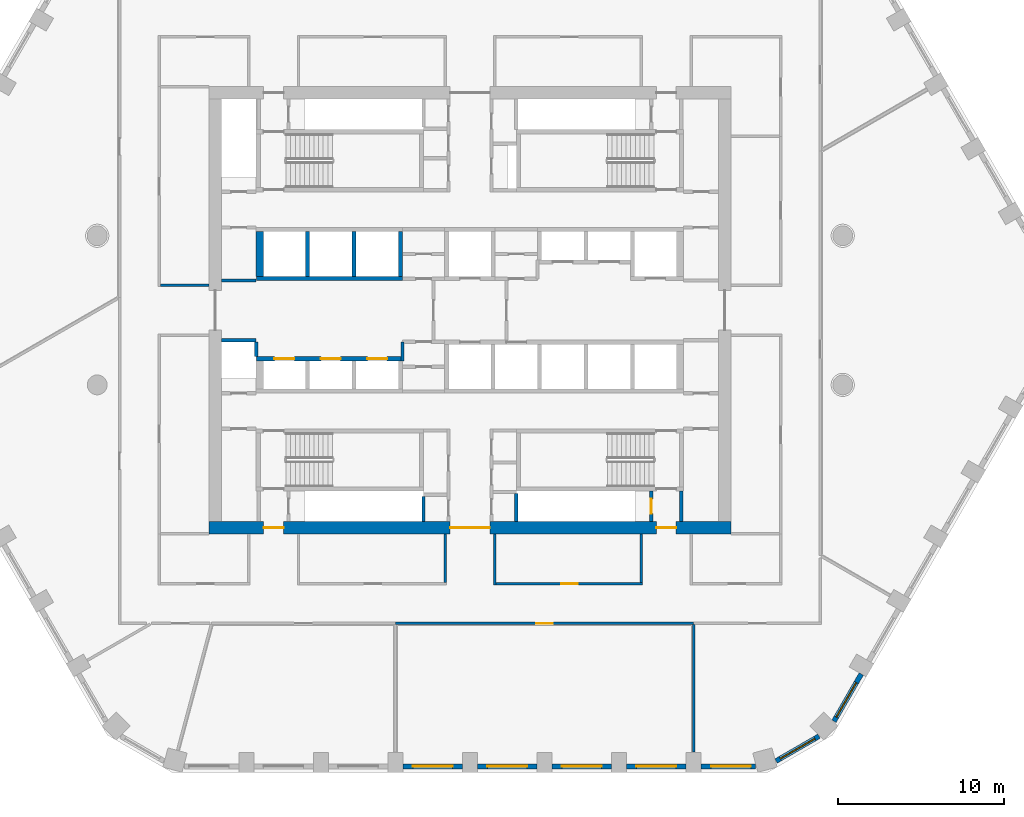
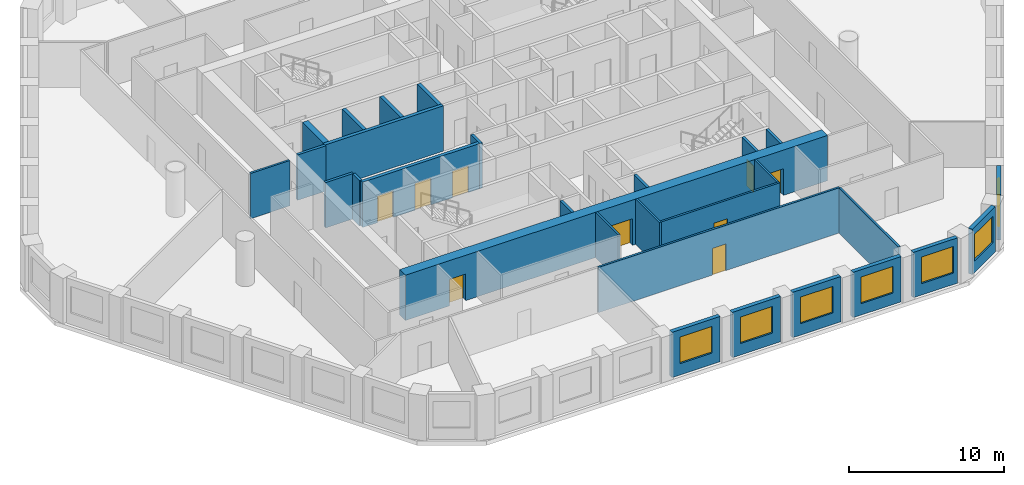
# One storey, part 3 of 14: 29 walls, 9 doors, 7 windows, 16 openings.
"""IFC4 building model written with IfcOpenShell, lengths in metres."""

from ifc_helpers import new_model, si_unit, direction, frame, frame_2d, origin, place, context, subcontext, project, spatial, polyline, rectangle, outline, extrude, material, layer, layer_set, type_object, element, fill, save


model = new_model("IFC4")

# Units and contexts
model_context = context("Model", 3, precision=1e-05, world=origin(), true_north=direction((0.0, 1.0)))
body_context = subcontext(model_context, "Body", "Model", "MODEL_VIEW")
ifc_project = project(units=[si_unit("LENGTHUNIT", "METRE"), si_unit("AREAUNIT", "SQUARE_METRE"), si_unit("VOLUMEUNIT", "CUBIC_METRE"), si_unit("PLANEANGLEUNIT", "RADIAN"), si_unit("MASSUNIT", "GRAM", prefix="KILO")], contexts=[model_context])

# Site, building, storey
site_placement = place(None, origin())
site = spatial("IfcSite", under=ifc_project, at=site_placement, CompositionType="ELEMENT")
building_placement = place(site_placement, origin())
building = spatial("IfcBuilding", under=site, at=building_placement, Name="Dhurran Vertical Campus", CompositionType="ELEMENT")
storey_placement = place(building_placement, frame((0.0, 0.0, 140.39990234375)))
storey = spatial("IfcBuildingStorey", under=building, at=storey_placement, Name="L34", CompositionType="ELEMENT", Elevation=140.39990234375)

# Wall, opening, window
ifc_material_1 = material(Name="Precast concrete C50/60", Category="concrete")
ifc_layer_1 = layer(ifc_material_1, 0.300048828125)
ifc_layer_set_1 = layer_set([ifc_layer_1], Name="Precast concrete C50/60")
wall_type_1 = type_object("IfcWallType", Name="Precast spandrel wall 300", PredefinedType="SOLIDWALL", material=ifc_layer_set_1)
wall_1_placement = place(storey_placement, frame((-4.049560546875, -27.53271484375, 0.0), z_axis=(0.0, 0.0, 1.0), x_axis=(1.0, 0.0, 0.0)))
wall_1 = element("IfcWall", 1, at=wall_1_placement, inside=storey, type_object=wall_type_1, Name="EW1 L34.03", PredefinedType="SOLIDWALL", context=body_context, shape_type="SweptSolid", body=[
    extrude(rectangle(XDim=3.59912109375, YDim=0.300048828125, at=frame_2d((1.799560546875, 0.0))), origin(), (0.0, 0.0, 1.0), 3.5751953125),
])
opening_1_placement = place(wall_1_placement, frame((0.599609375, 0.0, 0.89990234375)))
opening_1 = element("IfcOpeningElement", 2, at=opening_1_placement, cuts=wall_1, Name="Opening WT1", PredefinedType="OPENING", context=body_context, shape_type="SweptSolid", body=[
    extrude(rectangle(XDim=2.39990234375, YDim=2.10009765625, at=frame_2d((1.199951171875, 1.050048828125))), frame((0.0, 0.159912109375, 0.0), z_axis=(0.0, -1.0, 0.0), x_axis=(1.0, 0.0, 0.0)), (0.0, 0.0, 1.0), 0.320068359375),
])
ifc_material_2 = material(Name="Aluminium frame with solar-control glass", Category="aluminium")
window_type = type_object("IfcWindowType", Name="Punched window 2400 x 2100", PartitioningType="SINGLE_PANEL", PredefinedType="WINDOW", material=ifc_material_2)
window_1_placement = place(opening_1_placement, origin())
window_1 = element("IfcWindow", 3, at=window_1_placement, inside=storey, type_object=window_type, Name="WT1 L34.03", OverallHeight=2.10009765625, OverallWidth=2.39990234375, PartitioningType="SINGLE_PANEL", PredefinedType="WINDOW", context=body_context, shape_type="SweptSolid", body=[
    extrude(rectangle(XDim=2.39990234375, YDim=2.10009765625, at=frame_2d((1.199951171875, 1.050048828125))), frame((0.0, 0.030029296875, 0.0), z_axis=(0.0, -1.0, 0.0), x_axis=(1.0, 0.0, 0.0)), (0.0, 0.0, 1.0), 0.06005859375),
])
fill(opening_1, window_1)

wall_2_placement = place(storey_placement, frame((0.450439453125, -27.53271484375, 0.0), z_axis=(0.0, 0.0, 1.0), x_axis=(1.0, 0.0, 0.0)))
wall_2 = element("IfcWall", 4, at=wall_2_placement, inside=storey, type_object=wall_type_1, Name="EW1 L34.04", PredefinedType="SOLIDWALL", context=body_context, shape_type="SweptSolid", body=[
    extrude(rectangle(XDim=3.59912109375, YDim=0.300048828125, at=frame_2d((1.799560546875, 0.0))), origin(), (0.0, 0.0, 1.0), 3.5751953125),
])
opening_2_placement = place(wall_2_placement, frame((0.599609375, 0.0, 0.89990234375)))
opening_2 = element("IfcOpeningElement", 5, at=opening_2_placement, cuts=wall_2, Name="Opening WT1", PredefinedType="OPENING", context=body_context, shape_type="SweptSolid", body=[
    extrude(rectangle(XDim=2.39990234375, YDim=2.10009765625, at=frame_2d((1.199951171875, 1.050048828125))), frame((0.0, 0.159912109375, 0.0), z_axis=(0.0, -1.0, 0.0), x_axis=(1.0, 0.0, 0.0)), (0.0, 0.0, 1.0), 0.320068359375),
])
window_2_placement = place(opening_2_placement, origin())
window_2 = element("IfcWindow", 6, at=window_2_placement, inside=storey, type_object=window_type, Name="WT1 L34.04", OverallHeight=2.10009765625, OverallWidth=2.39990234375, PartitioningType="SINGLE_PANEL", PredefinedType="WINDOW", context=body_context, shape_type="SweptSolid", body=[
    extrude(rectangle(XDim=2.39990234375, YDim=2.10009765625, at=frame_2d((1.199951171875, 1.050048828125))), frame((0.0, 0.030029296875, 0.0), z_axis=(0.0, -1.0, 0.0), x_axis=(1.0, 0.0, 0.0)), (0.0, 0.0, 1.0), 0.06005859375),
])
fill(opening_2, window_2)

wall_3_placement = place(storey_placement, frame((4.950439453125, -27.53271484375, 0.0), z_axis=(0.0, 0.0, 1.0), x_axis=(1.0, 0.0, 0.0)))
wall_3 = element("IfcWall", 7, at=wall_3_placement, inside=storey, type_object=wall_type_1, Name="EW1 L34.05", PredefinedType="SOLIDWALL", context=body_context, shape_type="SweptSolid", body=[
    extrude(rectangle(XDim=3.59912109375, YDim=0.300048828125, at=frame_2d((1.799560546875, 0.0))), origin(), (0.0, 0.0, 1.0), 3.5751953125),
])
opening_3_placement = place(wall_3_placement, frame((0.599609375, 0.0, 0.89990234375)))
opening_3 = element("IfcOpeningElement", 8, at=opening_3_placement, cuts=wall_3, Name="Opening WT1", PredefinedType="OPENING", context=body_context, shape_type="SweptSolid", body=[
    extrude(rectangle(XDim=2.39990234375, YDim=2.10009765625, at=frame_2d((1.199951171875, 1.050048828125))), frame((0.0, 0.159912109375, 0.0), z_axis=(0.0, -1.0, 0.0), x_axis=(1.0, 0.0, 0.0)), (0.0, 0.0, 1.0), 0.320068359375),
])
window_3_placement = place(opening_3_placement, origin())
window_3 = element("IfcWindow", 9, at=window_3_placement, inside=storey, type_object=window_type, Name="WT1 L34.05", OverallHeight=2.10009765625, OverallWidth=2.39990234375, PartitioningType="SINGLE_PANEL", PredefinedType="WINDOW", context=body_context, shape_type="SweptSolid", body=[
    extrude(rectangle(XDim=2.39990234375, YDim=2.10009765625, at=frame_2d((1.199951171875, 1.050048828125))), frame((0.0, 0.030029296875, 0.0), z_axis=(0.0, -1.0, 0.0), x_axis=(1.0, 0.0, 0.0)), (0.0, 0.0, 1.0), 0.06005859375),
])
fill(opening_3, window_3)

wall_4_placement = place(storey_placement, frame((9.450439453125, -27.53271484375, 0.0), z_axis=(0.0, 0.0, 1.0), x_axis=(1.0, 0.0, 0.0)))
wall_4 = element("IfcWall", 10, at=wall_4_placement, inside=storey, type_object=wall_type_1, Name="EW1 L34.06", PredefinedType="SOLIDWALL", context=body_context, shape_type="SweptSolid", body=[
    extrude(rectangle(XDim=3.59912109375, YDim=0.300048828125, at=frame_2d((1.799560546875, 0.0))), origin(), (0.0, 0.0, 1.0), 3.5751953125),
])
opening_4_placement = place(wall_4_placement, frame((0.599609375, 0.0, 0.89990234375)))
opening_4 = element("IfcOpeningElement", 11, at=opening_4_placement, cuts=wall_4, Name="Opening WT1", PredefinedType="OPENING", context=body_context, shape_type="SweptSolid", body=[
    extrude(rectangle(XDim=2.39990234375, YDim=2.10009765625, at=frame_2d((1.199951171875, 1.050048828125))), frame((0.0, 0.159912109375, 0.0), z_axis=(0.0, -1.0, 0.0), x_axis=(1.0, 0.0, 0.0)), (0.0, 0.0, 1.0), 0.320068359375),
])
window_4_placement = place(opening_4_placement, origin())
window_4 = element("IfcWindow", 12, at=window_4_placement, inside=storey, type_object=window_type, Name="WT1 L34.06", OverallHeight=2.10009765625, OverallWidth=2.39990234375, PartitioningType="SINGLE_PANEL", PredefinedType="WINDOW", context=body_context, shape_type="SweptSolid", body=[
    extrude(rectangle(XDim=2.39990234375, YDim=2.10009765625, at=frame_2d((1.199951171875, 1.050048828125))), frame((0.0, 0.030029296875, 0.0), z_axis=(0.0, -1.0, 0.0), x_axis=(1.0, 0.0, 0.0)), (0.0, 0.0, 1.0), 0.06005859375),
])
fill(opening_4, window_4)

wall_5_placement = place(storey_placement, frame((13.950439453125, -27.53271484375, 0.0), z_axis=(0.0, 0.0, 1.0), x_axis=(1.0, 0.0, 0.0)))
wall_5 = element("IfcWall", 13, at=wall_5_placement, inside=storey, type_object=wall_type_1, Name="EW1 L34.07", PredefinedType="SOLIDWALL", context=body_context, shape_type="SweptSolid", body=[
    extrude(rectangle(XDim=3.294189453125, YDim=0.300048828125, at=frame_2d((1.64697265625, 0.0))), origin(), (0.0, 0.0, 1.0), 3.5751953125),
])
opening_5_placement = place(wall_5_placement, frame((0.599609375, 0.0, 0.89990234375)))
opening_5 = element("IfcOpeningElement", 14, at=opening_5_placement, cuts=wall_5, Name="Opening WT1", PredefinedType="OPENING", context=body_context, shape_type="SweptSolid", body=[
    extrude(rectangle(XDim=2.39990234375, YDim=2.10009765625, at=frame_2d((1.199951171875, 1.050048828125))), frame((0.0, 0.159912109375, 0.0), z_axis=(0.0, -1.0, 0.0), x_axis=(1.0, 0.0, 0.0)), (0.0, 0.0, 1.0), 0.320068359375),
])
window_5_placement = place(opening_5_placement, origin())
window_5 = element("IfcWindow", 15, at=window_5_placement, inside=storey, type_object=window_type, Name="WT1 L34.07", OverallHeight=2.10009765625, OverallWidth=2.39990234375, PartitioningType="SINGLE_PANEL", PredefinedType="WINDOW", context=body_context, shape_type="SweptSolid", body=[
    extrude(rectangle(XDim=2.39990234375, YDim=2.10009765625, at=frame_2d((1.199951171875, 1.050048828125))), frame((0.0, 0.030029296875, 0.0), z_axis=(0.0, -1.0, 0.0), x_axis=(1.0, 0.0, 0.0)), (0.0, 0.0, 1.0), 0.06005859375),
])
fill(opening_5, window_5)

wall_6_placement = place(storey_placement, frame((18.479248046875, -27.201904296875, 0.0), z_axis=(0.0, 0.0, 1.0), x_axis=(0.866012844897, 0.500021752, 0.0)))
wall_6 = element("IfcWall", 16, at=wall_6_placement, inside=storey, type_object=wall_type_1, Name="EW1 L34.08", PredefinedType="SOLIDWALL", context=body_context, shape_type="SweptSolid", body=[
    extrude(rectangle(XDim=2.989013671875, YDim=0.300048828125, at=frame_2d((1.49462890625, 0.0))), origin(), (0.0, 0.0, 1.0), 3.5751953125),
])
opening_6_placement = place(wall_6_placement, frame((0.294677734375, 0.0, 0.89990234375)))
opening_6 = element("IfcOpeningElement", 17, at=opening_6_placement, cuts=wall_6, Name="Opening WT1", PredefinedType="OPENING", context=body_context, shape_type="SweptSolid", body=[
    extrude(rectangle(XDim=2.39990234375, YDim=2.10009765625, at=frame_2d((1.199951171875, 1.050048828125))), frame((0.0, 0.159912109375, 0.0), z_axis=(0.0, -1.0, 0.0), x_axis=(1.0, 0.0, 0.0)), (0.0, 0.0, 1.0), 0.320068359375),
])
window_6_placement = place(opening_6_placement, origin())
window_6 = element("IfcWindow", 18, at=window_6_placement, inside=storey, type_object=window_type, Name="WT1 L34.08", OverallHeight=2.10009765625, OverallWidth=2.39990234375, PartitioningType="SINGLE_PANEL", PredefinedType="WINDOW", context=body_context, shape_type="SweptSolid", body=[
    extrude(rectangle(XDim=2.39990234375, YDim=2.10009765625, at=frame_2d((1.199951171875, 1.050048828125))), frame((0.0, 0.030029296875, 0.0), z_axis=(0.0, -1.0, 0.0), x_axis=(1.0, 0.0, 0.0)), (0.0, 0.0, 1.0), 0.06005859375),
])
fill(opening_6, window_6)

wall_7_placement = place(storey_placement, frame((21.9716796875, -24.803466796875, 0.0), z_axis=(0.0, 0.0, 1.0), x_axis=(0.500036802197, 0.866004154983, 0.0)))
wall_7 = element("IfcWall", 19, at=wall_7_placement, inside=storey, type_object=wall_type_1, Name="EW1 L34.09", PredefinedType="SOLIDWALL", context=body_context, shape_type="SweptSolid", body=[
    extrude(rectangle(XDim=3.294189453125, YDim=0.300048828125, at=frame_2d((1.64697265625, 0.0))), origin(), (0.0, 0.0, 1.0), 3.5751953125),
])
opening_7_placement = place(wall_7_placement, frame((0.29443359375, 0.0, 0.89990234375)))
opening_7 = element("IfcOpeningElement", 20, at=opening_7_placement, cuts=wall_7, Name="Opening WT1", PredefinedType="OPENING", context=body_context, shape_type="SweptSolid", body=[
    extrude(rectangle(XDim=2.39990234375, YDim=2.10009765625, at=frame_2d((1.199951171875, 1.050048828125))), frame((0.0, 0.159912109375, 0.0), z_axis=(0.0, -1.0, 0.0), x_axis=(1.0, 0.0, 0.0)), (0.0, 0.0, 1.0), 0.320068359375),
])
window_7_placement = place(opening_7_placement, origin())
window_7 = element("IfcWindow", 21, at=window_7_placement, inside=storey, type_object=window_type, Name="WT1 L34.09", OverallHeight=2.10009765625, OverallWidth=2.39990234375, PartitioningType="SINGLE_PANEL", PredefinedType="WINDOW", context=body_context, shape_type="SweptSolid", body=[
    extrude(rectangle(XDim=2.39990234375, YDim=2.10009765625, at=frame_2d((1.199951171875, 1.050048828125))), frame((0.0, 0.030029296875, 0.0), z_axis=(0.0, -1.0, 0.0), x_axis=(1.0, 0.0, 0.0)), (0.0, 0.0, 1.0), 0.06005859375),
])
fill(opening_7, window_7)

# Wall, openings, doors
ifc_material_3 = material(Name="Concrete C60/75", Category="concrete")
ifc_layer_2 = layer(ifc_material_3, 0.75)
ifc_layer_set_2 = layer_set([ifc_layer_2], Name="Concrete C60/75")
wall_type_2 = type_object("IfcWallType", Name="co-CORE-WALL-C1-750", PredefinedType="SHEAR", material=ifc_layer_set_2)
wall_8_placement = place(storey_placement, frame((-15.75, -13.125, 0.0), z_axis=(0.0, 0.0, 1.0), x_axis=(1.0, 0.0, 0.0)))
wall_8 = element("IfcWall", 22, at=wall_8_placement, inside=storey, type_object=wall_type_2, Name="Core wall S L34", PredefinedType="SHEAR", context=body_context, shape_type="SweptSolid", body=[
    extrude(rectangle(XDim=31.5, YDim=0.75, at=frame_2d((15.75, 0.0))), origin(), (0.0, 0.0, 1.0), 3.5751953125),
])
opening_8_placement = place(wall_8_placement, frame((14.550048828125, 0.0, 0.0)))
opening_8 = element("IfcOpeningElement", 23, at=opening_8_placement, cuts=wall_8, Name="Opening CV2", PredefinedType="OPENING", context=body_context, shape_type="SweptSolid", body=[
    extrude(rectangle(XDim=2.39990234375, YDim=2.10009765625, at=frame_2d((1.199951171875, 1.050048828125))), frame((0.0, 0.385009765625, 0.0), z_axis=(0.0, -1.0, 0.0), x_axis=(1.0, 0.0, 0.0)), (0.0, 0.0, 1.0), 0.77001953125),
])
opening_9_placement = place(wall_8_placement, frame((3.300048828125, 0.0, 0.0)))
opening_9 = element("IfcOpeningElement", 24, at=opening_9_placement, cuts=wall_8, Name="Opening XD3", PredefinedType="OPENING", context=body_context, shape_type="SweptSolid", body=[
    extrude(rectangle(XDim=1.199951171875, YDim=2.10009765625, at=frame_2d((0.60009765625, 1.050048828125))), frame((0.0, 0.385009765625, 0.0), z_axis=(0.0, -1.0, 0.0), x_axis=(1.0, 0.0, 0.0)), (0.0, 0.0, 1.0), 0.77001953125),
])
opening_10_placement = place(wall_8_placement, frame((27.0, 0.0, 0.0)))
opening_10 = element("IfcOpeningElement", 25, at=opening_10_placement, cuts=wall_8, Name="Opening XD4", PredefinedType="OPENING", context=body_context, shape_type="SweptSolid", body=[
    extrude(rectangle(XDim=1.199951171875, YDim=2.10009765625, at=frame_2d((0.60009765625, 1.050048828125))), frame((0.0, 0.385009765625, 0.0), z_axis=(0.0, -1.0, 0.0), x_axis=(1.0, 0.0, 0.0)), (0.0, 0.0, 1.0), 0.77001953125),
])
ifc_material_4 = material(Name="Fire-rated glazed door set")
door_type_1 = type_object("IfcDoorType", Name="co-D-LOBBY 2400x2100", OperationType="DOUBLE_DOOR_DOUBLE_SWING", PredefinedType="DOOR", material=ifc_material_4)
door_1_placement = place(opening_8_placement, origin())
door_1 = element("IfcDoor", 26, at=door_1_placement, inside=storey, type_object=door_type_1, Name="Core vestibule door S L34", OperationType="DOUBLE_DOOR_DOUBLE_SWING", OverallHeight=2.10009765625, OverallWidth=2.39990234375, PredefinedType="DOOR", context=body_context, shape_type="SweptSolid", body=[
    extrude(rectangle(XDim=2.39990234375, YDim=2.10009765625, at=frame_2d((1.199951171875, 1.050048828125))), frame((0.0, 0.02490234375, 0.0), z_axis=(0.0, -1.0, 0.0), x_axis=(1.0, 0.0, 0.0)), (0.0, 0.0, 1.0), 0.050048828125),
])
fill(opening_8, door_1)
ifc_material_5 = material(Name="Fire-rated steel door set", Category="steel")
door_type_2 = type_object("IfcDoorType", Name="co-D-STAIR-EXIT 1200x2100", OperationType="SINGLE_SWING_RIGHT", PredefinedType="DOOR", material=ifc_material_5)
door_2_placement = place(opening_9_placement, origin())
door_2 = element("IfcDoor", 27, at=door_2_placement, inside=storey, type_object=door_type_2, Name="Stair ST3 exit door L34", OperationType="SINGLE_SWING_RIGHT", OverallHeight=2.10009765625, OverallWidth=1.199951171875, PredefinedType="DOOR", context=body_context, shape_type="SweptSolid", body=[
    extrude(rectangle(XDim=1.199951171875, YDim=2.10009765625, at=frame_2d((0.60009765625, 1.050048828125))), frame((0.0, 0.02490234375, 0.0), z_axis=(0.0, -1.0, 0.0), x_axis=(1.0, 0.0, 0.0)), (0.0, 0.0, 1.0), 0.050048828125),
])
fill(opening_9, door_2)
door_3_placement = place(opening_10_placement, origin())
door_3 = element("IfcDoor", 28, at=door_3_placement, inside=storey, type_object=door_type_2, Name="Stair ST4 exit door L34", OperationType="SINGLE_SWING_RIGHT", OverallHeight=2.10009765625, OverallWidth=1.199951171875, PredefinedType="DOOR", context=body_context, shape_type="SweptSolid", body=[
    extrude(rectangle(XDim=1.199951171875, YDim=2.10009765625, at=frame_2d((0.60009765625, 1.050048828125))), frame((0.0, 0.02490234375, 0.0), z_axis=(0.0, -1.0, 0.0), x_axis=(1.0, 0.0, 0.0)), (0.0, 0.0, 1.0), 0.050048828125),
])
fill(opening_10, door_3)

# Wall
ifc_material_6 = material(Name="Fire-rated masonry blockwork", Category="masonry")
ifc_layer_3 = layer(ifc_material_6, 0.199951171875)
ifc_layer_set_3 = layer_set([ifc_layer_3], Name="Fire-rated masonry blockwork")
wall_type_3 = type_object("IfcWallType", Name="co-FIRE-PARTITION-200", PredefinedType="PARTITIONING", material=ifc_layer_set_3)
wall_9_placement = place(storey_placement, frame((12.75, -12.75, 0.0), z_axis=(0.0, 0.0, 1.0), x_axis=(0.0, 1.0, 0.0)))
element("IfcWall", 29, at=wall_9_placement, inside=storey, type_object=wall_type_3, Name="Core partition pass-ST4-o L34", PredefinedType="PARTITIONING", context=body_context, shape_type="SweptSolid", body=[
    extrude(rectangle(XDim=1.85009765625, YDim=0.199951171875, at=frame_2d((0.925048828125, 0.0))), origin(), (0.0, 0.0, 1.0), 3.5751953125),
])

# Wall, opening, door
wall_10_placement = place(storey_placement, frame((10.949951171875, -12.75, 0.0), z_axis=(0.0, 0.0, 1.0), x_axis=(0.0, 1.0, 0.0)))
wall_10 = element("IfcWall", 30, at=wall_10_placement, inside=storey, type_object=wall_type_3, Name="Core partition pass-ST4-i L34", PredefinedType="PARTITIONING", context=body_context, shape_type="SweptSolid", body=[
    extrude(rectangle(XDim=1.85009765625, YDim=0.199951171875, at=frame_2d((0.925048828125, 0.0))), origin(), (0.0, 0.0, 1.0), 3.5751953125),
])
opening_11_placement = place(wall_10_placement, frame((0.47509765625, 0.0, 0.0)))
opening_11 = element("IfcOpeningElement", 31, at=opening_11_placement, cuts=wall_10, Name="Opening T09-C14", PredefinedType="OPENING", context=body_context, shape_type="SweptSolid", body=[
    extrude(rectangle(XDim=0.89990234375, YDim=2.10009765625, at=frame_2d((0.449951171875, 1.050048828125))), frame((0.0, 0.10986328125, 0.0), z_axis=(0.0, -1.0, 0.0), x_axis=(1.0, 0.0, 0.0)), (0.0, 0.0, 1.0), 0.219970703125),
])
ifc_material_7 = material(Name="Fire-rated timber door set", Category="wood")
door_type_3 = type_object("IfcDoorType", Name="co-D-ROOM 900x2100", OperationType="SINGLE_SWING_LEFT", PredefinedType="DOOR", material=ifc_material_7)
door_4_placement = place(opening_11_placement, origin())
door_4 = element("IfcDoor", 32, at=door_4_placement, inside=storey, type_object=door_type_3, Name="Riser room door L34", OperationType="SINGLE_SWING_LEFT", OverallHeight=2.10009765625, OverallWidth=0.89990234375, PredefinedType="DOOR", context=body_context, shape_type="SweptSolid", body=[
    extrude(rectangle(XDim=0.89990234375, YDim=2.10009765625, at=frame_2d((0.449951171875, 1.050048828125))), frame((0.0, 0.02490234375, 0.0), z_axis=(0.0, -1.0, 0.0), x_axis=(1.0, 0.0, 0.0)), (0.0, 0.0, 1.0), 0.050048828125),
])
fill(opening_11, door_4)

# Walls
for number, where, z_axis, x_axis, name in (
    (33, (-15.0, 1.800048828125, 0.0), (0.0, 0.0, 1.0), (1.0, 0.0, 0.0), "Core partition es-NW-l L34"),
    (34, (-15.0, -1.800048828125, 0.0), (0.0, 0.0, 1.0), (1.0, 0.0, 0.0), "Core partition es-SW-l L34"),
):
    element("IfcWall", number, at=place(storey_placement, frame(where, z_axis=z_axis, x_axis=x_axis)), inside=storey, type_object=wall_type_3, Name=name, PredefinedType="PARTITIONING", context=body_context, shape_type="SweptSolid", body=[
        extrude(rectangle(XDim=2.10009765625, YDim=0.199951171875, at=frame_2d((1.050048828125, 0.0))), origin(), (0.0, 0.0, 1.0), 3.5751953125),
    ])
wall_11_placement = place(storey_placement, frame((-4.074951171875, -1.89990234375, 0.0), z_axis=(0.0, 0.0, 1.0), x_axis=(0.0, -1.0, 0.0)))
element("IfcWall", 35, at=wall_11_placement, inside=storey, type_object=wall_type_3, Name="Core partition fr-S0-n0 L34", PredefinedType="PARTITIONING", context=body_context, shape_type="SweptSolid", body=[
    extrude(rectangle(XDim=1.150146484375, YDim=0.199951171875, at=frame_2d((0.5751953125, 0.0))), origin(), (0.0, 0.0, 1.0), 3.5751953125),
])
wall_12_placement = place(storey_placement, frame((-12.89990234375, -2.799072265625, 0.0), z_axis=(0.0, 0.0, 1.0), x_axis=(0.0, 1.0, 0.0)))
element("IfcWall", 36, at=wall_12_placement, inside=storey, type_object=wall_type_3, Name="Riser enclosure wall L34", PredefinedType="PARTITIONING", context=body_context, shape_type="SweptSolid", body=[
    extrude(rectangle(XDim=0.898193359375, YDim=0.199951171875, at=frame_2d((0.44921875, 0.0))), origin(), (0.0, 0.0, 1.0), 3.5751953125),
])
wall_13_placement = place(storey_placement, frame((-2.800048828125, -12.7490234375, 0.0), z_axis=(0.0, 0.0, 1.0), x_axis=(0.0, 1.0, 0.0)))
element("IfcWall", 37, at=wall_13_placement, inside=storey, type_object=wall_type_3, Name="Riser enclosure wall L34", PredefinedType="PARTITIONING", context=body_context, shape_type="SweptSolid", body=[
    extrude(rectangle(XDim=1.51806640625, YDim=0.199951171875, at=frame_2d((0.759033203125, 0.0))), origin(), (0.0, 0.0, 1.0), 3.5751953125),
])
wall_14_placement = place(storey_placement, frame((2.800048828125, -11.069091796875, 0.0), z_axis=(0.0, 0.0, 1.0), x_axis=(0.0, -1.0, 0.0)))
element("IfcWall", 38, at=wall_14_placement, inside=storey, type_object=wall_type_3, Name="Riser enclosure wall L34", PredefinedType="PARTITIONING", context=body_context, shape_type="SweptSolid", body=[
    extrude(rectangle(XDim=1.679931640625, YDim=0.199951171875, at=frame_2d((0.83984375, 0.0))), origin(), (0.0, 0.0, 1.0), 3.5751953125),
])
ifc_material_8 = material(Name="Concrete C50/60", Category="concrete")
ifc_layer_4 = layer(ifc_material_8, 0.25)
ifc_layer_set_4 = layer_set([ifc_layer_4], Name="Concrete C50/60")
wall_type_4 = type_object("IfcWallType", Name="co-SHAFT-FRONT-250", PredefinedType="SHEAR", material=ifc_layer_set_4)
wall_15_placement = place(storey_placement, frame((-12.89990234375, 1.925048828125, 0.0), z_axis=(0.0, 0.0, 1.0), x_axis=(1.0, 0.0, 0.0)))
element("IfcWall", 39, at=wall_15_placement, inside=storey, type_object=wall_type_4, Name="Lift landing wall N L34", PredefinedType="SHEAR", context=body_context, shape_type="SweptSolid", body=[
    extrude(rectangle(XDim=8.824951171875, YDim=0.25, at=frame_2d((4.41259765625, 0.0))), origin(), (0.0, 0.0, 1.0), 3.5751953125),
])

# Wall, openings, doors
wall_16_placement = place(storey_placement, frame((-12.89990234375, -2.925048828125, 0.0), z_axis=(0.0, 0.0, 1.0), x_axis=(1.0, 0.0, 0.0)))
wall_16 = element("IfcWall", 40, at=wall_16_placement, inside=storey, type_object=wall_type_4, Name="Lift landing wall S L34", PredefinedType="SHEAR", context=body_context, shape_type="SweptSolid", body=[
    extrude(rectangle(XDim=8.824951171875, YDim=0.25, at=frame_2d((4.41259765625, 0.0))), origin(), (0.0, 0.0, 1.0), 3.5751953125),
])
opening_12_placement = place(wall_16_placement, frame((1.10009765625, 0.0, 0.0)))
opening_12 = element("IfcOpeningElement", 41, at=opening_12_placement, cuts=wall_16, Name="Opening LD", PredefinedType="OPENING", context=body_context, shape_type="SweptSolid", body=[
    extrude(rectangle(XDim=1.199951171875, YDim=2.10009765625, at=frame_2d((0.60009765625, 1.050048828125))), frame((0.0, 0.135009765625, 0.0), z_axis=(0.0, -1.0, 0.0), x_axis=(1.0, 0.0, 0.0)), (0.0, 0.0, 1.0), 0.27001953125),
])
opening_13_placement = place(wall_16_placement, frame((3.89990234375, 0.0, 0.0)))
opening_13 = element("IfcOpeningElement", 42, at=opening_13_placement, cuts=wall_16, Name="Opening LD", PredefinedType="OPENING", context=body_context, shape_type="SweptSolid", body=[
    extrude(rectangle(XDim=1.199951171875, YDim=2.10009765625, at=frame_2d((0.60009765625, 1.050048828125))), frame((0.0, 0.135009765625, 0.0), z_axis=(0.0, -1.0, 0.0), x_axis=(1.0, 0.0, 0.0)), (0.0, 0.0, 1.0), 0.27001953125),
])
opening_14_placement = place(wall_16_placement, frame((6.699951171875, 0.0, 0.0)))
opening_14 = element("IfcOpeningElement", 43, at=opening_14_placement, cuts=wall_16, Name="Opening LD", PredefinedType="OPENING", context=body_context, shape_type="SweptSolid", body=[
    extrude(rectangle(XDim=1.199951171875, YDim=2.10009765625, at=frame_2d((0.60009765625, 1.050048828125))), frame((0.0, 0.135009765625, 0.0), z_axis=(0.0, -1.0, 0.0), x_axis=(1.0, 0.0, 0.0)), (0.0, 0.0, 1.0), 0.27001953125),
])
ifc_material_9 = material(Name="Stainless steel landing door", Category="steel")
door_type_4 = type_object("IfcDoorType", Name="co-D-LANDING 1200x2100", OperationType="DOUBLE_DOOR_SLIDING", PredefinedType="DOOR", material=ifc_material_9)
door_5_placement = place(opening_12_placement, origin())
door_5 = element("IfcDoor", 44, at=door_5_placement, inside=storey, type_object=door_type_4, Name="Landing door MR3 L34", OperationType="DOUBLE_DOOR_SLIDING", OverallHeight=2.10009765625, OverallWidth=1.199951171875, PredefinedType="DOOR", context=body_context, shape_type="SweptSolid", body=[
    extrude(rectangle(XDim=1.199951171875, YDim=2.10009765625, at=frame_2d((0.60009765625, 1.050048828125))), frame((0.0, 0.02490234375, 0.0), z_axis=(0.0, -1.0, 0.0), x_axis=(1.0, 0.0, 0.0)), (0.0, 0.0, 1.0), 0.050048828125),
])
fill(opening_12, door_5)
door_6_placement = place(opening_13_placement, origin())
door_6 = element("IfcDoor", 45, at=door_6_placement, inside=storey, type_object=door_type_4, Name="Landing door MR4 L34", OperationType="DOUBLE_DOOR_SLIDING", OverallHeight=2.10009765625, OverallWidth=1.199951171875, PredefinedType="DOOR", context=body_context, shape_type="SweptSolid", body=[
    extrude(rectangle(XDim=1.199951171875, YDim=2.10009765625, at=frame_2d((0.60009765625, 1.050048828125))), frame((0.0, 0.02490234375, 0.0), z_axis=(0.0, -1.0, 0.0), x_axis=(1.0, 0.0, 0.0)), (0.0, 0.0, 1.0), 0.050048828125),
])
fill(opening_13, door_6)
door_7_placement = place(opening_14_placement, origin())
door_7 = element("IfcDoor", 46, at=door_7_placement, inside=storey, type_object=door_type_4, Name="Landing door MR5 L34", OperationType="DOUBLE_DOOR_SLIDING", OverallHeight=2.10009765625, OverallWidth=1.199951171875, PredefinedType="DOOR", context=body_context, shape_type="SweptSolid", body=[
    extrude(rectangle(XDim=1.199951171875, YDim=2.10009765625, at=frame_2d((0.60009765625, 1.050048828125))), frame((0.0, 0.02490234375, 0.0), z_axis=(0.0, -1.0, 0.0), x_axis=(1.0, 0.0, 0.0)), (0.0, 0.0, 1.0), 0.050048828125),
])
fill(opening_14, door_7)

# Walls
ifc_material_10 = material(Name="Concrete C50/60", Category="concrete")
ifc_layer_5 = layer(ifc_material_10, 0.25)
ifc_layer_set_5 = layer_set([ifc_layer_5], Name="Concrete C50/60")
wall_type_5 = type_object("IfcWallType", Name="co-SHAFT-MASS-250", PredefinedType="SHEAR", material=ifc_layer_set_5)
wall_17_placement = place(storey_placement, origin())
element("IfcWall", 47, at=wall_17_placement, inside=storey, type_object=wall_type_5, Name="Lift shaft wall N L34 4", PredefinedType="SHEAR", context=body_context, shape_type="SweptSolid", body=[
    extrude(outline(polyline([(-12.89990234375, 2.050048828125), (-12.47509765625, 2.050048828125), (-12.47509765625, 4.75), (-12.89990234375, 4.75), (-12.89990234375, 2.050048828125)])), origin(), (0.0, 0.0, 1.0), 3.5751953125),
])
wall_18_placement = place(storey_placement, origin())
element("IfcWall", 48, at=wall_18_placement, inside=storey, type_object=wall_type_5, Name="Lift shaft wall N L34 5", PredefinedType="SHEAR", context=body_context, shape_type="SweptSolid", body=[
    extrude(outline(polyline([(-9.925048828125, 2.050048828125), (-9.675048828125, 2.050048828125), (-9.675048828125, 4.75), (-9.925048828125, 4.75), (-9.925048828125, 2.050048828125)])), origin(), (0.0, 0.0, 1.0), 3.5751953125),
])
wall_19_placement = place(storey_placement, origin())
element("IfcWall", 49, at=wall_19_placement, inside=storey, type_object=wall_type_5, Name="Lift shaft wall N L34 6", PredefinedType="SHEAR", context=body_context, shape_type="SweptSolid", body=[
    extrude(outline(polyline([(-7.125, 2.050048828125), (-6.875, 2.050048828125), (-6.875, 4.75), (-7.125, 4.75), (-7.125, 2.050048828125)])), origin(), (0.0, 0.0, 1.0), 3.5751953125),
])
wall_20_placement = place(storey_placement, origin())
element("IfcWall", 50, at=wall_20_placement, inside=storey, type_object=wall_type_5, Name="Lift shaft wall N L34 7", PredefinedType="SHEAR", context=body_context, shape_type="SweptSolid", body=[
    extrude(outline(polyline([(-4.324951171875, 2.050048828125), (-4.074951171875, 2.050048828125), (-4.074951171875, 4.75), (-4.324951171875, 4.75), (-4.324951171875, 2.050048828125)])), origin(), (0.0, 0.0, 1.0), 3.5751953125),
])
ifc_material_11 = material(Name="Gypsum board corridor wall on steel studs", Category="steel")
ifc_layer_6 = layer(ifc_material_11, 0.14990234375)
ifc_layer_set_6 = layer_set([ifc_layer_6], Name="Gypsum board corridor wall on steel studs")
wall_type_6 = type_object("IfcWallType", Name="fl-CW-150 corridor wall", PredefinedType="PARTITIONING", material=ifc_layer_set_6)
wall_21_placement = place(storey_placement, frame((-15.75, 1.5, 0.0), z_axis=(0.0, 0.0, 1.0), x_axis=(-1.0, 0.0, 0.0)))
element("IfcWall", 51, at=wall_21_placement, inside=storey, type_object=wall_type_6, Name="Partition 34-16", PredefinedType="PARTITIONING", context=body_context, shape_type="SweptSolid", body=[
    extrude(rectangle(XDim=2.925048828125, YDim=0.14990234375, at=frame_2d((1.46240234375, 0.0))), origin(), (0.0, 0.0, 1.0), 3.5751953125),
])

# Wall, opening, door
wall_22_placement = place(storey_placement, frame((-4.5, -18.89990234375, 0.0), z_axis=(0.0, 0.0, 1.0), x_axis=(1.0, 0.0, 0.0)))
wall_22 = element("IfcWall", 52, at=wall_22_placement, inside=storey, type_object=wall_type_6, Name="Partition 34-31", PredefinedType="PARTITIONING", context=body_context, shape_type="SweptSolid", body=[
    extrude(rectangle(XDim=18.0, YDim=0.14990234375, at=frame_2d((9.0, 0.0))), origin(), (0.0, 0.0, 1.0), 3.5751953125),
])
opening_15_placement = place(wall_22_placement, frame((8.5, 0.0, 0.0)))
opening_15 = element("IfcOpeningElement", 53, at=opening_15_placement, cuts=wall_22, Name="Opening T09.13", PredefinedType="OPENING", context=body_context, shape_type="SweptSolid", body=[
    extrude(rectangle(XDim=1.0, YDim=2.10009765625, at=frame_2d((0.5, 1.050048828125))), frame((0.0, 0.0849609375, 0.0), z_axis=(0.0, -1.0, 0.0), x_axis=(1.0, 0.0, 0.0)), (0.0, 0.0, 1.0), 0.169921875),
])
ifc_material_12 = material(Name="Solid-core timber door set, fire-rated", Category="wood")
door_type_5 = type_object("IfcDoorType", Name="fl-D-1000x2100", OperationType="SINGLE_SWING_LEFT", PredefinedType="DOOR", material=ifc_material_12)
door_8_placement = place(opening_15_placement, origin())
door_8 = element("IfcDoor", 54, at=door_8_placement, inside=storey, type_object=door_type_5, Name="Door 34.13", OperationType="SINGLE_SWING_LEFT", OverallHeight=2.10009765625, OverallWidth=1.0, PredefinedType="DOOR", context=body_context, shape_type="SweptSolid", body=[
    extrude(rectangle(XDim=1.0, YDim=2.10009765625, at=frame_2d((0.5, 1.050048828125))), frame((0.0, 0.02490234375, 0.0), z_axis=(0.0, -1.0, 0.0), x_axis=(1.0, 0.0, 0.0)), (0.0, 0.0, 1.0), 0.050048828125),
])
fill(opening_15, door_8)

# Walls
wall_23_placement = place(storey_placement, frame((-1.5, -13.5, 0.0), z_axis=(0.0, 0.0, 1.0), x_axis=(0.0, -1.0, 0.0)))
element("IfcWall", 55, at=wall_23_placement, inside=storey, type_object=wall_type_6, Name="Partition 34-32", PredefinedType="PARTITIONING", context=body_context, shape_type="SweptSolid", body=[
    extrude(rectangle(XDim=2.925048828125, YDim=0.14990234375, at=frame_2d((1.46240234375, 0.0))), origin(), (0.0, 0.0, 1.0), 3.5751953125),
])
wall_24_placement = place(storey_placement, frame((1.5, -16.574951171875, 0.0), z_axis=(0.0, 0.0, 1.0), x_axis=(0.0, 1.0, 0.0)))
element("IfcWall", 56, at=wall_24_placement, inside=storey, type_object=wall_type_6, Name="Partition 34-34", PredefinedType="PARTITIONING", context=body_context, shape_type="SweptSolid", body=[
    extrude(rectangle(XDim=3.074951171875, YDim=0.14990234375, at=frame_2d((1.53759765625, 0.0))), origin(), (0.0, 0.0, 1.0), 3.5751953125),
])

# Wall, opening, door
wall_25_placement = place(storey_placement, frame((10.425048828125, -16.5, 0.0), z_axis=(0.0, 0.0, 1.0), x_axis=(-1.0, 0.0, 0.0)))
wall_25 = element("IfcWall", 57, at=wall_25_placement, inside=storey, type_object=wall_type_6, Name="Partition 34-35", PredefinedType="PARTITIONING", context=body_context, shape_type="SweptSolid", body=[
    extrude(rectangle(XDim=8.85009765625, YDim=0.14990234375, at=frame_2d((4.425048828125, 0.0))), origin(), (0.0, 0.0, 1.0), 3.5751953125),
])
opening_16_placement = place(wall_25_placement, frame((3.925048828125, 0.0, 0.0)))
opening_16 = element("IfcOpeningElement", 58, at=opening_16_placement, cuts=wall_25, Name="Opening T09.14", PredefinedType="OPENING", context=body_context, shape_type="SweptSolid", body=[
    extrude(rectangle(XDim=1.0, YDim=2.10009765625, at=frame_2d((0.5, 1.050048828125))), frame((0.0, 0.0849609375, 0.0), z_axis=(0.0, -1.0, 0.0), x_axis=(1.0, 0.0, 0.0)), (0.0, 0.0, 1.0), 0.169921875),
])
door_9_placement = place(opening_16_placement, origin())
door_9 = element("IfcDoor", 59, at=door_9_placement, inside=storey, type_object=door_type_5, Name="Door 34.14", OperationType="SINGLE_SWING_RIGHT", OverallHeight=2.10009765625, OverallWidth=1.0, PredefinedType="DOOR", context=body_context, shape_type="SweptSolid", body=[
    extrude(rectangle(XDim=1.0, YDim=2.10009765625, at=frame_2d((0.5, 1.050048828125))), frame((0.0, 0.02490234375, 0.0), z_axis=(0.0, -1.0, 0.0), x_axis=(1.0, 0.0, 0.0)), (0.0, 0.0, 1.0), 0.050048828125),
])
fill(opening_16, door_9)

# Walls
wall_26_placement = place(storey_placement, frame((10.35009765625, -13.5, 0.0), z_axis=(0.0, 0.0, 1.0), x_axis=(0.0, -1.0, 0.0)))
element("IfcWall", 60, at=wall_26_placement, inside=storey, type_object=wall_type_6, Name="Partition 34-40", PredefinedType="PARTITIONING", context=body_context, shape_type="SweptSolid", body=[
    extrude(rectangle(XDim=2.925048828125, YDim=0.14990234375, at=frame_2d((1.46240234375, 0.0))), origin(), (0.0, 0.0, 1.0), 3.5751953125),
])
ifc_material_13 = material(Name="Gypsum board partition on steel studs", Category="steel")
ifc_layer_7 = layer(ifc_material_13, 0.14990234375)
ifc_layer_set_7 = layer_set([ifc_layer_7], Name="Gypsum board partition on steel studs")
wall_type_7 = type_object("IfcWallType", Name="fl-PW-150 fixed partition", PredefinedType="PARTITIONING", material=ifc_layer_set_7)
wall_27_placement = place(storey_placement, frame((13.5, -18.97509765625, 0.0), z_axis=(0.0, 0.0, 1.0), x_axis=(0.0, -1.0, 0.0)))
element("IfcWall", 61, at=wall_27_placement, inside=storey, type_object=wall_type_7, Name="Partition 34-46", PredefinedType="PARTITIONING", context=body_context, shape_type="SweptSolid", body=[
    extrude(rectangle(XDim=7.6875, YDim=0.14990234375, at=frame_2d((3.84375, 0.0))), origin(), (0.0, 0.0, 1.0), 3.5751953125),
])

save(model, "model.ifc")
